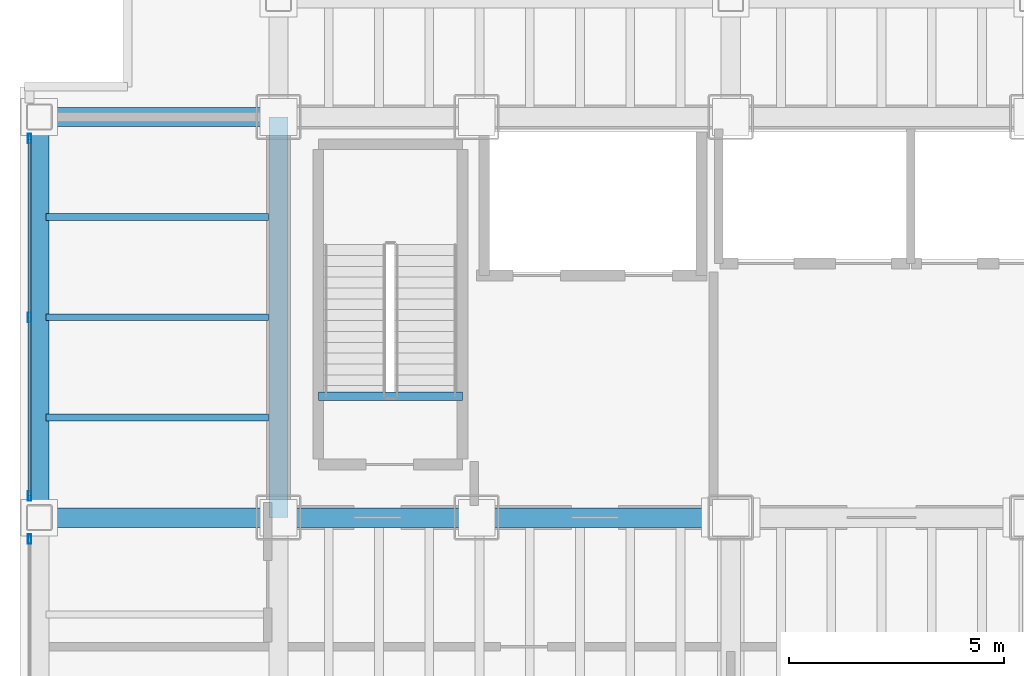
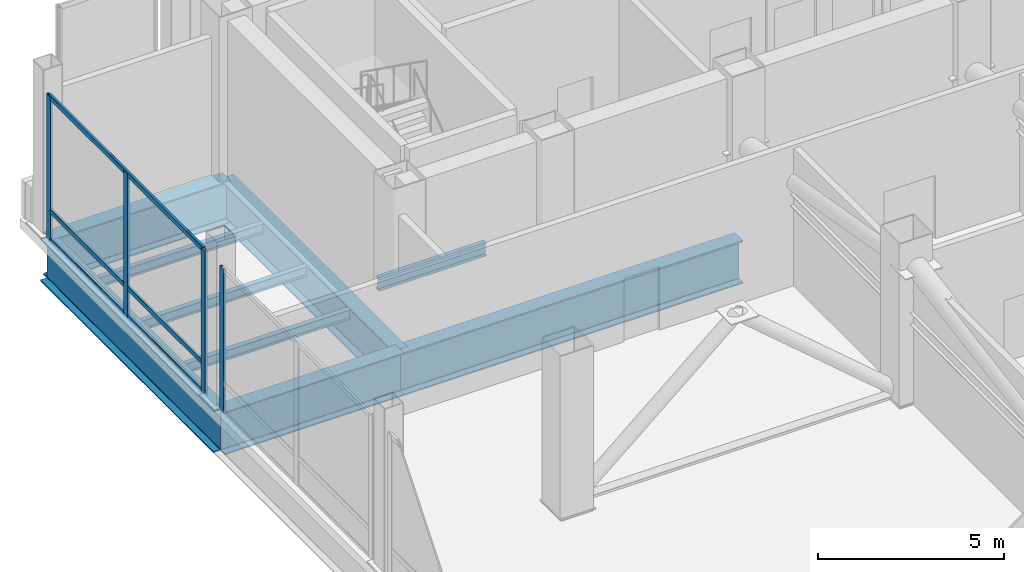
# One storey, part 7 of 20: 9 beams, 7 members, 2 elements without a shape of their own.
"""IFC4 building model written with IfcOpenShell, lengths in metres."""

from ifc_helpers import new_model, si_unit, direction, frame, origin, origin_2d, place, context, subcontext, project, spatial, hollow_rectangle, i_section, extrude, material, material_profile, profile_set, type_object, element, aggregate, save


model = new_model("IFC4")

# Units and contexts
model_context = context("Model", 3, precision=1e-05, world=origin(), true_north=direction((0.0, 1.0)))
body_context = subcontext(model_context, "Body", "Model", "MODEL_VIEW")
ifc_project = project(units=[si_unit("LENGTHUNIT", "METRE"), si_unit("AREAUNIT", "SQUARE_METRE"), si_unit("VOLUMEUNIT", "CUBIC_METRE"), si_unit("PLANEANGLEUNIT", "RADIAN"), si_unit("MASSUNIT", "GRAM", prefix="KILO")], contexts=[model_context])

# Site, building, storey
site_placement = place(None, origin())
site = spatial("IfcSite", under=ifc_project, at=site_placement, CompositionType="ELEMENT")
building_placement = place(site_placement, origin())
building = spatial("IfcBuilding", under=site, at=building_placement, Name="Noeulbin Bourse Tower", CompositionType="ELEMENT")
storey_placement = place(building_placement, frame((0.0, 0.0, 100.60009765625)))
storey = spatial("IfcBuildingStorey", under=building, at=storey_placement, Name="L25", CompositionType="ELEMENT", Elevation=100.60009765625)

# Beams
ifc_material_1 = material(Name="Steel S355", Category="steel")
ifc_material_profile_1 = material_profile(ifc_material_1, i_section(OverallWidth=0.159912109375, OverallDepth=0.320068359375, WebThickness=0.006591796875, FlangeThickness=0.010009765625, FilletRadius=0.012939453125, at=origin_2d()), Name="H-320x160x6.5x10", Category="LoadBearing")
ifc_profile_set_1 = profile_set([ifc_material_profile_1], Name="Steel S355")
beam_type_1 = type_object("IfcBeamType", Name="BM-JST-320", PredefinedType="JOIST", material=ifc_profile_set_1)
for number, where, z_axis, x_axis, name in (
    (1, (8.10009765625, 31.324951171875, -0.460205078125), (1.0, 0.0, 0.0), (0.0, 1.0, 0.0), "Wing Composite Joist L25-W73"),
    (2, (8.10009765625, 33.64990234375, -0.460205078125), (1.0, 0.0, 0.0), (0.0, 1.0, 0.0), "Wing Composite Joist L25-W74"),
    (3, (8.10009765625, 35.97509765625, -0.460205078125), (1.0, 0.0, 0.0), (0.0, 1.0, 0.0), "Wing Composite Joist L25-W75"),
):
    element("IfcBeam", number, at=place(storey_placement, frame(where, z_axis=z_axis, x_axis=x_axis)), inside=storey, type_object=beam_type_1, Name=name, PredefinedType="JOIST", context=body_context, shape_type="SweptSolid", body=[
        extrude(i_section(OverallWidth=0.159912109375, OverallDepth=0.320068359375, WebThickness=0.006591796875, FlangeThickness=0.010009765625, FilletRadius=0.012939453125, at=origin_2d()), origin(), (0.0, 0.0, 1.0), 5.1748046875),
    ])
ifc_material_profile_2 = material_profile(ifc_material_1, i_section(OverallWidth=0.199951171875, OverallDepth=0.39990234375, WebThickness=0.008056640625, FlangeThickness=0.012939453125, FilletRadius=0.01611328125, at=origin_2d()), Name="H-400x200x8x13", Category="LoadBearing")
ifc_profile_set_2 = profile_set([ifc_material_profile_2], Name="Steel S355")
beam_type_2 = type_object("IfcBeamType", Name="BM-SEC-400", PredefinedType="BEAM", material=ifc_profile_set_2)
beam_1_placement = place(storey_placement, frame((14.429931640625, 31.820068359375, -0.2001953125), z_axis=(1.0, 0.0, 0.0), x_axis=(0.0, 1.0, 0.0)))
element("IfcBeam", 4, at=beam_1_placement, inside=storey, type_object=beam_type_2, Name="Stair Threshold Trimmer Beam ST1-L25", PredefinedType="BEAM", context=body_context, shape_type="SweptSolid", body=[
    extrude(i_section(OverallWidth=0.199951171875, OverallDepth=0.39990234375, WebThickness=0.008056640625, FlangeThickness=0.012939453125, FilletRadius=0.01611328125, at=origin_2d()), origin(), (0.0, 0.0, 1.0), 3.340087890625),
])
ifc_material_2 = material(Name="Steel S460", Category="steel")
ifc_material_profile_3 = material_profile(ifc_material_2, i_section(OverallWidth=0.449951171875, OverallDepth=1.39990234375, WebThickness=0.02392578125, FlangeThickness=0.0400390625, FilletRadius=0.02392578125, at=origin_2d()), Name="PG-1400x450x24x40", Category="LoadBearing")
ifc_profile_set_3 = profile_set([ifc_material_profile_3], Name="Steel S460")
beam_type_3 = type_object("IfcBeamType", Name="BM-TRF-1400", PredefinedType="USERDEFINED", material=ifc_profile_set_3)
beam_2_placement = place(storey_placement, frame((7.949951171875, 29.0, -1.0), z_axis=(1.0, 0.0, 0.0), x_axis=(0.0, 1.0, 0.0)))
element("IfcBeam", 5, at=beam_2_placement, inside=storey, type_object=beam_type_3, Name="Tower Primary Girder EW L25-2.1", ObjectType="GIRDER", PredefinedType="USERDEFINED", context=body_context, shape_type="SweptSolid", body=[
    extrude(i_section(OverallWidth=0.449951171875, OverallDepth=1.39990234375, WebThickness=0.02392578125, FlangeThickness=0.0400390625, FilletRadius=0.02392578125, at=origin_2d()), origin(), (0.0, 0.0, 1.0), 5.550048828125),
])
beam_3_placement = place(storey_placement, frame((13.5, 29.0, -1.0), z_axis=(1.0, 0.0, 0.0), x_axis=(0.0, 1.0, 0.0)))
element("IfcBeam", 6, at=beam_3_placement, inside=storey, type_object=beam_type_3, Name="Tower Primary Girder EW L25-2.2", ObjectType="GIRDER", PredefinedType="USERDEFINED", context=body_context, shape_type="SweptSolid", body=[
    extrude(i_section(OverallWidth=0.449951171875, OverallDepth=1.39990234375, WebThickness=0.02392578125, FlangeThickness=0.0400390625, FilletRadius=0.02392578125, at=origin_2d()), origin(), (0.0, 0.0, 1.0), 10.5),
])
beam_4_placement = place(storey_placement, frame((7.949951171875, 38.300048828125, -1.0), z_axis=(1.0, 0.0, 0.0), x_axis=(0.0, 1.0, 0.0)))
element("IfcBeam", 7, at=beam_4_placement, inside=storey, type_object=beam_type_3, Name="Tower Primary Girder EW L25-3.1", ObjectType="GIRDER", PredefinedType="USERDEFINED", context=body_context, shape_type="SweptSolid", body=[
    extrude(i_section(OverallWidth=0.449951171875, OverallDepth=1.39990234375, WebThickness=0.02392578125, FlangeThickness=0.0400390625, FilletRadius=0.02392578125, at=origin_2d()), origin(), (0.0, 0.0, 1.0), 5.550048828125),
])
for number, where, z_axis, x_axis, name in (
    (8, (13.5, 29.0, -1.0), (0.0, 1.0, 0.0), (-1.0, 0.0, 0.0), "Tower Primary Girder NS L25-1.3"),
    (9, (7.949951171875, 29.0, -1.0), (0.0, 1.0, 0.0), (-1.0, 0.0, 0.0), "West Spandrel L25-2"),
):
    element("IfcBeam", number, at=place(storey_placement, frame(where, z_axis=z_axis, x_axis=x_axis)), inside=storey, type_object=beam_type_3, Name=name, ObjectType="GIRDER", PredefinedType="USERDEFINED", context=body_context, shape_type="SweptSolid", body=[
        extrude(i_section(OverallWidth=0.449951171875, OverallDepth=1.39990234375, WebThickness=0.02392578125, FlangeThickness=0.0400390625, FilletRadius=0.02392578125, at=origin_2d()), origin(), (0.0, 0.0, 1.0), 9.300048828125),
    ])

# Curtain wall, member
ifc_material_3 = material(Name="Translucent Ceramic-Fritted Glass", Category="glass")
curtain_wall_type = type_object("IfcCurtainWallType", Name="CW-SYS-5", PredefinedType="NOTDEFINED", material=ifc_material_3)
curtain_wall_1_placement = place(storey_placement, origin())
curtain_wall_1 = element("IfcCurtainWall", 10, at=curtain_wall_1_placement, inside=storey, type_object=curtain_wall_type, Name="Unitised Curtain Wall CW-L25-W-S2", PredefinedType="NOTDEFINED")
ifc_material_4 = material(Name="Anodised Aluminium 6063-T6", Category="aluminium")
ifc_material_profile_4 = material_profile(ifc_material_4, hollow_rectangle(XDim=0.074951171875, YDim=0.219970703125, WallThickness=0.0048828125, InnerFilletRadius=0.00244140625, OuterFilletRadius=0.0048828125, at=origin_2d()), Name="ALU-MULL-75x220x5", Category="LoadBearing")
ifc_profile_set_4 = profile_set([ifc_material_profile_4], Name="Anodised Aluminium 6063-T6")
member_type_1 = type_object("IfcMemberType", Name="CW-SYS-5-MUL", PredefinedType="MULLION", material=ifc_profile_set_4)
member_1_placement = place(storey_placement, frame((7.719970703125, 28.5, -0.02001953125), z_axis=(0.0, 0.0, 1.0), x_axis=(1.0, 0.0, 0.0)))
member_1 = element("IfcMember", 11, at=member_1_placement, type_object=member_type_1, Name="Curtain Wall Mullion CW-L25-W-S2-M02", PredefinedType="MULLION", context=body_context, shape_type="SweptSolid", body=[
    extrude(hollow_rectangle(XDim=0.074951171875, YDim=0.219970703125, WallThickness=0.0048828125, InnerFilletRadius=0.00244140625, OuterFilletRadius=0.0048828125, at=origin_2d()), origin(), (0.0, 0.0, 1.0), 4.719970703125),
])
aggregate(curtain_wall_1, [member_1])

# Curtain wall, members
curtain_wall_2_placement = place(storey_placement, origin())
curtain_wall_2 = element("IfcCurtainWall", 12, at=curtain_wall_2_placement, inside=storey, type_object=curtain_wall_type, Name="Unitised Curtain Wall CW-L25-W-S3", PredefinedType="NOTDEFINED")
member_2_placement = place(storey_placement, frame((7.719970703125, 29.5, -0.02001953125), z_axis=(0.0, 0.0, 1.0), x_axis=(1.0, 0.0, 0.0)))
member_2 = element("IfcMember", 13, at=member_2_placement, type_object=member_type_1, Name="Curtain Wall Mullion CW-L25-W-S3-M00", PredefinedType="MULLION", context=body_context, shape_type="SweptSolid", body=[
    extrude(hollow_rectangle(XDim=0.074951171875, YDim=0.219970703125, WallThickness=0.0048828125, InnerFilletRadius=0.00244140625, OuterFilletRadius=0.0048828125, at=origin_2d()), origin(), (0.0, 0.0, 1.0), 4.719970703125),
])
member_3_placement = place(storey_placement, frame((7.719970703125, 33.64990234375, -0.02001953125), z_axis=(0.0, 0.0, 1.0), x_axis=(1.0, 0.0, 0.0)))
member_3 = element("IfcMember", 14, at=member_3_placement, type_object=member_type_1, Name="Curtain Wall Mullion CW-L25-W-S3-M01", PredefinedType="MULLION", context=body_context, shape_type="SweptSolid", body=[
    extrude(hollow_rectangle(XDim=0.074951171875, YDim=0.219970703125, WallThickness=0.0048828125, InnerFilletRadius=0.00244140625, OuterFilletRadius=0.0048828125, at=origin_2d()), origin(), (0.0, 0.0, 1.0), 4.719970703125),
])
member_4_placement = place(storey_placement, frame((7.719970703125, 37.800048828125, -0.02001953125), z_axis=(0.0, 0.0, 1.0), x_axis=(1.0, 0.0, 0.0)))
member_4 = element("IfcMember", 15, at=member_4_placement, type_object=member_type_1, Name="Curtain Wall Mullion CW-L25-W-S3-M02", PredefinedType="MULLION", context=body_context, shape_type="SweptSolid", body=[
    extrude(hollow_rectangle(XDim=0.074951171875, YDim=0.219970703125, WallThickness=0.0048828125, InnerFilletRadius=0.00244140625, OuterFilletRadius=0.0048828125, at=origin_2d()), origin(), (0.0, 0.0, 1.0), 4.719970703125),
])
ifc_material_profile_5 = material_profile(ifc_material_4, hollow_rectangle(XDim=0.074951171875, YDim=0.159912109375, WallThickness=0.0048828125, InnerFilletRadius=0.00244140625, OuterFilletRadius=0.0048828125, at=origin_2d()), Name="ALU-TRAN-75x160x5", Category="LoadBearing")
ifc_profile_set_5 = profile_set([ifc_material_profile_5], Name="Anodised Aluminium 6063-T6")
member_type_2 = type_object("IfcMemberType", Name="CW-SYS-5-TRN", PredefinedType="USERDEFINED", material=ifc_profile_set_5)
member_5_placement = place(storey_placement, frame((7.719970703125, 29.510009765625, 0.010009765625), z_axis=(0.0, 1.0, 0.0), x_axis=(-1.0, 0.0, 0.0)))
member_5 = element("IfcMember", 16, at=member_5_placement, type_object=member_type_2, Name="Curtain Wall Transom CW-L25-W-S3-T00", ObjectType="TRANSOM", PredefinedType="USERDEFINED", context=body_context, shape_type="SweptSolid", body=[
    extrude(hollow_rectangle(XDim=0.074951171875, YDim=0.159912109375, WallThickness=0.0048828125, InnerFilletRadius=0.00244140625, OuterFilletRadius=0.0048828125, at=origin_2d()), origin(), (0.0, 0.0, 1.0), 8.280029296875),
])
member_6_placement = place(storey_placement, frame((7.719970703125, 29.510009765625, 0.949951171875), z_axis=(0.0, 1.0, 0.0), x_axis=(-1.0, 0.0, 0.0)))
member_6 = element("IfcMember", 17, at=member_6_placement, type_object=member_type_2, Name="Curtain Wall Transom CW-L25-W-S3-T01", ObjectType="TRANSOM", PredefinedType="USERDEFINED", context=body_context, shape_type="SweptSolid", body=[
    extrude(hollow_rectangle(XDim=0.074951171875, YDim=0.159912109375, WallThickness=0.0048828125, InnerFilletRadius=0.00244140625, OuterFilletRadius=0.0048828125, at=origin_2d()), origin(), (0.0, 0.0, 1.0), 8.280029296875),
])
member_7_placement = place(storey_placement, frame((7.719970703125, 29.510009765625, 4.669921875), z_axis=(0.0, 1.0, 0.0), x_axis=(-1.0, 0.0, 0.0)))
member_7 = element("IfcMember", 18, at=member_7_placement, type_object=member_type_2, Name="Curtain Wall Transom CW-L25-W-S3-T02", ObjectType="TRANSOM", PredefinedType="USERDEFINED", context=body_context, shape_type="SweptSolid", body=[
    extrude(hollow_rectangle(XDim=0.074951171875, YDim=0.159912109375, WallThickness=0.0048828125, InnerFilletRadius=0.00244140625, OuterFilletRadius=0.0048828125, at=origin_2d()), origin(), (0.0, 0.0, 1.0), 8.280029296875),
])
aggregate(curtain_wall_2, [member_2, member_3, member_4, member_5, member_6, member_7])

save(model, "model.ifc")
